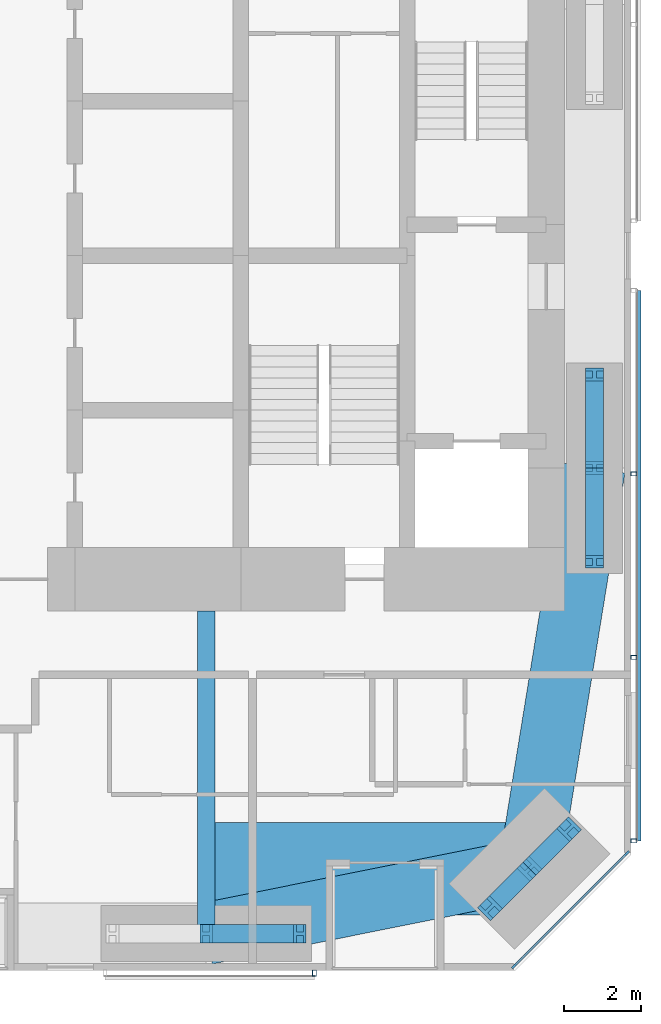
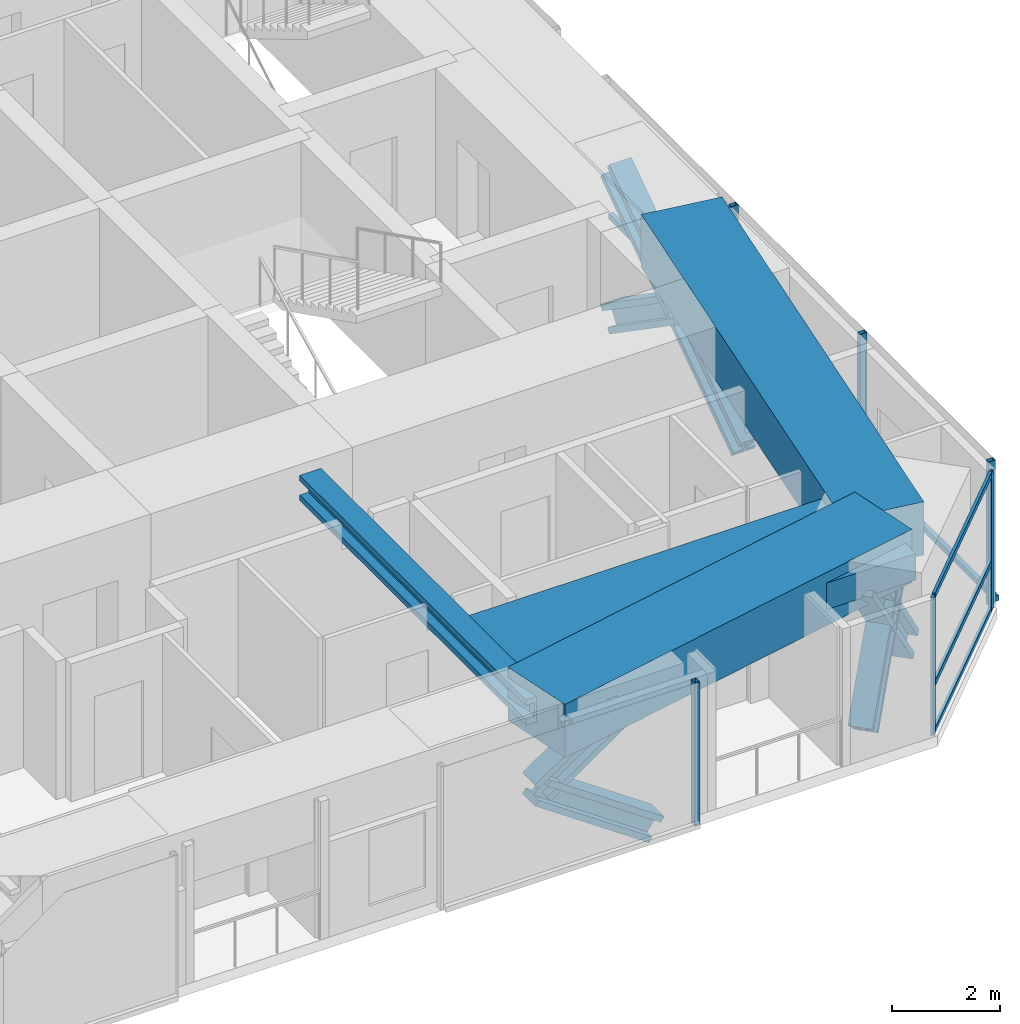
# One storey, part 8 of 23: 20 members, 4 beams, 3 elements without a shape of their own.
"""IFC4 building model written with IfcOpenShell, lengths in metres."""

import ifcopenshell
import ifcopenshell.guid

model = None  # the IFC model being written
_history = None  # IfcOwnerHistory: only IFC2X3 demands one
_inside = {}  # id of a spatial element -> (the spatial element, [elements in it])
_under = {}  # id of a project, library or spatial element -> (it, [spatial elements below it])
_declared = {}  # id of a project -> (the project, [libraries it declares])
_typed = {}  # id of a type object -> (the type object, [elements of that type])
_made_of = {}  # id of a material, layer set ... -> (it, [elements and type objects made of it])


def new_model(schema):
    """Start an empty IFC model of exactly this schema.

    Asked for "IFC4X3", IfcOpenShell would pick the latest addendum, in which some entities
    have other attributes; the version numbers below select the first issue.
    IFC2X3 requires an IfcOwnerHistory on every rooted entity: one is made here for all.
    """
    global model, _history
    if schema == "IFC4X3":
        model = ifcopenshell.file(schema_version=(4, 3, 0, 0))
    else:
        model = ifcopenshell.file(schema=schema)
    _inside.clear()
    _under.clear()
    _declared.clear()
    _typed.clear()
    _made_of.clear()
    _history = None
    if model.schema == "IFC2X3":
        org = make("IfcOrganization", Name="unknown")
        user = make(
            "IfcPersonAndOrganization",
            ThePerson=make("IfcPerson", FamilyName="unknown"),
            TheOrganization=org,
        )
        app = make(
            "IfcApplication",
            ApplicationDeveloper=org,
            Version="unknown",
            ApplicationFullName="unknown",
            ApplicationIdentifier="unknown",
        )
        _history = make(
            "IfcOwnerHistory",
            OwningUser=user,
            OwningApplication=app,
            ChangeAction="ADDED",
            CreationDate=0,
        )
    return model


def make(cls, **values):
    """One entity of the class cls with the attributes given. An attribute that is None is left unset."""
    return model.create_entity(
        cls, **{name: value for name, value in values.items() if value is not None}
    )


def rooted(cls, **values):
    """An entity with a GlobalId (a new one), such as an element, a storey or a relation."""
    return make(cls, GlobalId=ifcopenshell.guid.new(), OwnerHistory=_history, **values)


def si_unit(unit_type, name, prefix=None):
    """IfcSIUnit, for example si_unit("LENGTHUNIT", "METRE", prefix="MILLI")."""
    return make("IfcSIUnit", UnitType=unit_type, Prefix=prefix, Name=name)


def assignment(units):
    """IfcUnitAssignment: the units of a project."""
    return None if units is None else make("IfcUnitAssignment", Units=units)


def point(xyz):
    """IfcCartesianPoint."""
    return None if xyz is None else make("IfcCartesianPoint", Coordinates=xyz)


def direction(xyz):
    """IfcDirection."""
    return None if xyz is None else make("IfcDirection", DirectionRatios=xyz)


def frame(location, z_axis=None, x_axis=None):
    """IfcAxis2Placement3D, a coordinate frame: its origin and axes. An axis left out is left unset."""
    return make(
        "IfcAxis2Placement3D",
        Location=point(location),
        Axis=direction(z_axis),
        RefDirection=direction(x_axis),
    )


def frame_2d(location, x_axis=None):
    """IfcAxis2Placement2D, a coordinate frame in the plane: its origin and x axis."""
    return make(
        "IfcAxis2Placement2D", Location=point(location), RefDirection=direction(x_axis)
    )


def origin():
    """The frame at (0, 0, 0) with its axes left unset."""
    return frame((0.0, 0.0, 0.0))


def origin_2d():
    """The frame at (0, 0) in the plane with its x axis left unset."""
    return frame_2d((0.0, 0.0))


def place(relative_to, where):
    """IfcLocalPlacement: puts the frame where relative to a parent placement (None: the world)."""
    return make(
        "IfcLocalPlacement", PlacementRelTo=relative_to, RelativePlacement=where
    )


def context(
    kind, dimensions, precision=None, world=None, true_north=None, identifier=None
):
    """IfcGeometricRepresentationContext, for example the 3D "Model" context."""
    return make(
        "IfcGeometricRepresentationContext",
        ContextIdentifier=identifier,
        ContextType=kind,
        CoordinateSpaceDimension=dimensions,
        Precision=precision,
        WorldCoordinateSystem=world,
        TrueNorth=true_north,
    )


def subcontext(parent, identifier, kind, view, scale=None):
    """IfcGeometricRepresentationSubContext, for example "Body" below "Model"."""
    return make(
        "IfcGeometricRepresentationSubContext",
        ContextIdentifier=identifier,
        ContextType=kind,
        ParentContext=parent,
        TargetScale=scale,
        TargetView=view,
    )


def project(units=None, contexts=None):
    """IfcProject with its units and contexts."""
    return rooted(
        "IfcProject",
        Name="project",
        RepresentationContexts=contexts,
        UnitsInContext=assignment(units),
    )


def spatial(cls, under=None, at=None, **own):
    """A site, building, storey or space (cls), placed at a placement, below another one or the project."""
    s = rooted(cls, ObjectPlacement=at, **own)
    if under is not None:
        _under.setdefault(under.id(), (under, []))[1].append(s)
    return s


def profile(cls, at=None, kind="AREA", **sizes):
    """A parametric profile (cls). Its sizes go by their IFC names, for example OverallWidth=200.0."""
    return make(cls, ProfileType=kind, Position=at, **sizes)


def rectangle(**sizes):
    """IfcRectangleProfileDef."""
    return profile("IfcRectangleProfileDef", **sizes)


def hollow_rectangle(**sizes):
    """IfcRectangleHollowProfileDef."""
    return profile("IfcRectangleHollowProfileDef", **sizes)


def i_section(**sizes):
    """IfcIShapeProfileDef."""
    return profile("IfcIShapeProfileDef", **sizes)


def extrude(swept, where, along, depth):
    """IfcExtrudedAreaSolid: the profile swept, set in the frame where, extruded along a direction by depth."""
    return make(
        "IfcExtrudedAreaSolid",
        SweptArea=swept,
        Position=where,
        ExtrudedDirection=direction(along),
        Depth=depth,
    )


def shape(context_of_items, identifier, shape_type, items):
    """IfcShapeRepresentation: the items that make up one representation, for example the "Body"."""
    return make(
        "IfcShapeRepresentation",
        ContextOfItems=context_of_items,
        RepresentationIdentifier=identifier,
        RepresentationType=shape_type,
        Items=items,
    )


def material(Name=None, Category=None):
    """IfcMaterial."""
    return make("IfcMaterial", Name=Name, Category=Category)


def material_profile(
    of_material, cross_section, Name=None, Category=None, Priority=None
):
    """IfcMaterialProfile: a cross section and its material."""
    return make(
        "IfcMaterialProfile",
        Name=Name,
        Material=of_material,
        Profile=cross_section,
        Priority=Priority,
        Category=Category,
    )


def profile_set(profiles, Name=None, composite=None):
    """IfcMaterialProfileSet."""
    return make(
        "IfcMaterialProfileSet",
        Name=Name,
        MaterialProfiles=profiles,
        CompositeProfile=composite,
    )


def made_of(thing, what):
    """Note that an element or type object is made of a material, layer set ...; save() writes the relation."""
    if what is not None:
        _made_of.setdefault(what.id(), (what, []))[1].append(thing)
    return thing


def type_object(cls, material=None, **own):
    """A type object (cls), such as IfcWallType, which elements share."""
    return made_of(rooted(cls, **own), material)


def element(
    cls,
    number,
    at=None,
    inside=None,
    cuts=None,
    type_object=None,
    material=None,
    context=None,
    identifier="Body",
    shape_type=None,
    held_by="IfcProductDefinitionShape",
    body=None,
    shapes=None,
    **own,
):
    """One element of the class cls, such as IfcWall. Its Tag is "e" and its number.

    at: its placement. inside: the storey or other place that contains it. cuts: it is an
    opening in that element (IfcRelVoidsElement). A single representation is given by context,
    identifier, shape_type and body (its items); several are given by shapes. held_by: the class
    of the entity that holds the representations. save() writes the other relations.
    """
    e = rooted(cls, Tag="e%d" % number, ObjectPlacement=at, **own)
    if body is not None:
        shapes = [shape(context, identifier, shape_type, body)]
    if shapes is not None:
        e.Representation = make(held_by, Representations=shapes)
    if inside is not None:
        _inside.setdefault(inside.id(), (inside, []))[1].append(e)
    if cuts is not None:
        rooted(
            "IfcRelVoidsElement", RelatingBuildingElement=cuts, RelatedOpeningElement=e
        )
    if type_object is not None:
        _typed.setdefault(type_object.id(), (type_object, []))[1].append(e)
    return made_of(e, material)


def aggregate(whole, parts):
    """IfcRelAggregates: a whole, such as a stair, and the parts it consists of."""
    return rooted("IfcRelAggregates", RelatingObject=whole, RelatedObjects=parts)


def save(model, path):
    """Write the relations noted so far, then the file.

    IfcRelAggregates (storeys below a building ...), IfcRelContainedInSpatialStructure (elements
    in a storey), IfcRelDefinesByType, IfcRelAssociatesMaterial and IfcRelDeclares: one each for
    every whole, place, type object, material and project.
    """
    for whole, parts in _under.values():
        aggregate(whole, parts)
    for where, things in _inside.values():
        rooted(
            "IfcRelContainedInSpatialStructure",
            RelatedElements=things,
            RelatingStructure=where,
        )
    for kind, things in _typed.values():
        rooted("IfcRelDefinesByType", RelatedObjects=things, RelatingType=kind)
    for what, things in _made_of.values():
        rooted("IfcRelAssociatesMaterial", RelatedObjects=things, RelatingMaterial=what)
    for by, libraries in _declared.values():
        rooted("IfcRelDeclares", RelatingContext=by, RelatedDefinitions=libraries)
    model.write(path)


model = new_model("IFC4")

# Units and contexts
model_context = context("Model", 3, precision=1e-05, world=origin(), true_north=direction((0.0, 1.0)))
body_context = subcontext(model_context, "Body", "Model", "MODEL_VIEW")
ifc_project = project(units=[si_unit("LENGTHUNIT", "METRE"), si_unit("AREAUNIT", "SQUARE_METRE"), si_unit("VOLUMEUNIT", "CUBIC_METRE"), si_unit("PLANEANGLEUNIT", "RADIAN"), si_unit("MASSUNIT", "GRAM", prefix="KILO")], contexts=[model_context])

# Site, building, storey
site_placement = place(None, origin())
site = spatial("IfcSite", under=ifc_project, at=site_placement, CompositionType="ELEMENT")
building_placement = place(site_placement, origin())
building = spatial("IfcBuilding", under=site, at=building_placement, Name="Jalousie Tower", CompositionType="ELEMENT")
storey_placement = place(building_placement, frame((0.0, 0.0, 34.39990234375)))
storey = spatial("IfcBuildingStorey", under=building, at=storey_placement, Name="L08", CompositionType="ELEMENT", Elevation=34.39990234375)

# Curtain wall, members
ifc_material_1 = material(Name="Aluminium curtain wall", Category="aluminium")
curtain_wall_type_1 = type_object("IfcCurtainWallType", Name="CORNER WINDOW WALL", PredefinedType="USERDEFINED", material=ifc_material_1)
curtain_wall_1_placement = place(storey_placement, origin())
curtain_wall_1 = element("IfcCurtainWall", 1, at=curtain_wall_1_placement, inside=storey, type_object=curtain_wall_type_1, Name="Corner Window Wall L08 2", ObjectType="CORNER WINDOW WALL", PredefinedType="USERDEFINED")
ifc_material_2 = material(Name="Aluminium mullion", Category="aluminium")
ifc_material_profile_1 = material_profile(ifc_material_2, rectangle(XDim=0.06005859375, YDim=0.14990234375, at=origin_2d()), Name="MULLION 60x150")
ifc_profile_set_1 = profile_set([ifc_material_profile_1], Name="Aluminium mullion")
member_type_1 = type_object("IfcMemberType", Name="CORNER WINDOW WALL MULLION", PredefinedType="MULLION", material=ifc_profile_set_1)
member_1_placement = place(storey_placement, frame((42.969970703125, 0.108642578125, 0.0), z_axis=(0.0, 0.0, 1.0), x_axis=(-0.707106781187, 0.707106781187, 0.0)))
member_1 = element("IfcMember", 2, at=member_1_placement, type_object=member_type_1, Name="CW-C mullion 1", PredefinedType="MULLION", context=body_context, shape_type="SweptSolid", body=[
    extrude(rectangle(XDim=0.06005859375, YDim=0.14990234375, at=origin_2d()), origin(), (0.0, 0.0, 1.0), 3.110107421875),
])
member_2_placement = place(storey_placement, frame((45.891357421875, 3.030029296875, 0.0), z_axis=(0.0, 0.0, 1.0), x_axis=(-0.707106781187, 0.707106781187, 0.0)))
member_2 = element("IfcMember", 3, at=member_2_placement, type_object=member_type_1, Name="CW-C mullion 2", PredefinedType="MULLION", context=body_context, shape_type="SweptSolid", body=[
    extrude(rectangle(XDim=0.06005859375, YDim=0.14990234375, at=origin_2d()), origin(), (0.0, 0.0, 1.0), 3.110107421875),
])
ifc_material_3 = material(Name="Aluminium transom", Category="aluminium")
ifc_material_profile_2 = material_profile(ifc_material_3, rectangle(XDim=0.06005859375, YDim=0.1201171875, at=origin_2d()), Name="TRANSOM 60x120")
ifc_profile_set_2 = profile_set([ifc_material_profile_2], Name="Aluminium transom")
member_type_2 = type_object("IfcMemberType", Name="CORNER WINDOW WALL TRANSOM", PredefinedType="USERDEFINED", material=ifc_profile_set_2)
member_3_placement = place(storey_placement, frame((42.9912109375, 0.1298828125, 0.030029296875), z_axis=(0.707106781187, 0.707106781187, 0.0), x_axis=(-0.707106781187, 0.707106781187, 0.0)))
member_3 = element("IfcMember", 4, at=member_3_placement, type_object=member_type_2, Name="CW-C transom 1.1", ObjectType="TRANSOM", PredefinedType="USERDEFINED", context=body_context, shape_type="SweptSolid", body=[
    extrude(rectangle(XDim=0.06005859375, YDim=0.1201171875, at=origin_2d()), origin(), (0.0, 0.0, 1.0), 4.0712890625),
])
member_4_placement = place(storey_placement, frame((42.9912109375, 0.1298828125, 1.10009765625), z_axis=(0.707106781187, 0.707106781187, 0.0), x_axis=(-0.707106781187, 0.707106781187, 0.0)))
member_4 = element("IfcMember", 5, at=member_4_placement, type_object=member_type_2, Name="CW-C transom 1.2", ObjectType="TRANSOM", PredefinedType="USERDEFINED", context=body_context, shape_type="SweptSolid", body=[
    extrude(rectangle(XDim=0.06005859375, YDim=0.1201171875, at=origin_2d()), origin(), (0.0, 0.0, 1.0), 4.0712890625),
])
member_5_placement = place(storey_placement, frame((42.9912109375, 0.1298828125, 3.080078125), z_axis=(0.707106781187, 0.707106781187, 0.0), x_axis=(-0.707106781187, 0.707106781187, 0.0)))
member_5 = element("IfcMember", 6, at=member_5_placement, type_object=member_type_2, Name="CW-C transom 1.3", ObjectType="TRANSOM", PredefinedType="USERDEFINED", context=body_context, shape_type="SweptSolid", body=[
    extrude(rectangle(XDim=0.06005859375, YDim=0.1201171875, at=origin_2d()), origin(), (0.0, 0.0, 1.0), 4.0712890625),
])
aggregate(curtain_wall_1, [member_1, member_2, member_3, member_4, member_5])

# Beam
ifc_material_4 = material(Name="Steel ASTM A992 Grade 50", Category="steel")
ifc_material_profile_3 = material_profile(ifc_material_4, i_section(OverallWidth=0.45458984375, OverallDepth=0.569091796875, WebThickness=0.077880859375, FlangeThickness=0.124755859375, at=origin_2d()), Name="W14X730")
ifc_profile_set_3 = profile_set([ifc_material_profile_3], Name="Steel ASTM A992 Grade 50")
beam_type_1 = type_object("IfcBeamType", Name="LEAN COLLECTOR W14X730", PredefinedType="BEAM", material=ifc_profile_set_3)
beam_1_placement = place(storey_placement, frame((35.0, 0.949951171875, 2.82568359375), z_axis=(0.0, 1.0, 0.0), x_axis=(-1.0, 0.0, 0.0)))
element("IfcBeam", 7, at=beam_1_placement, inside=storey, type_object=beam_type_1, Name="Lean collector under L09", PredefinedType="BEAM", context=body_context, shape_type="SweptSolid", body=[
    extrude(i_section(OverallWidth=0.45458984375, OverallDepth=0.569091796875, WebThickness=0.077880859375, FlangeThickness=0.124755859375, at=origin_2d()), origin(), (0.0, 0.0, 1.0), 8.35009765625),
])

# Members
ifc_material_5 = material(Name="Steel ASTM A992 Grade 50", Category="steel")
ifc_material_profile_4 = material_profile(ifc_material_5, i_section(OverallWidth=0.472412109375, OverallDepth=0.5791015625, WebThickness=0.094970703125, FlangeThickness=0.1298828125, at=origin_2d()), Name="W14X808")
ifc_profile_set_4 = profile_set([ifc_material_profile_4], Name="Steel ASTM A992 Grade 50")
member_type_3 = type_object("IfcMemberType", Name="PERIMETER BRACE W14X808", PredefinedType="BRACE", material=ifc_profile_set_4)
for number, where, z_axis, x_axis, name in (
    (8, (35.0, 0.949951171875, 1.0751953125), (0.82283879777, 0.0, 0.568274856811), (0.0, 1.0, 0.0), "Perimeter brace 04 L08 part 2"),
    (9, (37.425048828125, 0.949951171875, -0.599853515625), (-0.822800062329, 0.0, 0.568330940062), (0.0, -1.0, 0.0), "Perimeter brace 04 L08 part 3"),
):
    element("IfcMember", number, at=place(storey_placement, frame(where, z_axis=z_axis, x_axis=x_axis)), inside=storey, type_object=member_type_3, Name=name, PredefinedType="BRACE", context=body_context, shape_type="SweptSolid", body=[
        extrude(i_section(OverallWidth=0.472412109375, OverallDepth=0.5791015625, WebThickness=0.094970703125, FlangeThickness=0.1298828125, at=origin_2d()), origin(), (0.0, 0.0, 1.0), 2.947265625),
    ])
for number, where, z_axis, x_axis, name in (
    (10, (42.34326171875, 1.606201171875, -0.599853515625), (0.462839993852, 0.462729793854, 0.756082189957), (-0.707022586774, 0.707190965575, 0.0), "Perimeter brace 05 L08 part 1"),
    (11, (43.36865234375, 2.63134765625, 1.0751953125), (0.462768350628, 0.462878559809, 0.756034981021), (-0.707190965575, 0.707022586774, 0.0), "Perimeter brace 05 L08 part 2"),
    (12, (44.393798828125, 3.65673828125, -0.599853515625), (-0.462729793854, -0.462839993852, 0.756082189957), (0.707190965575, -0.707022586774, 0.0), "Perimeter brace 05 L08 part 3"),
    (13, (43.36865234375, 2.63134765625, 1.0751953125), (-0.462878559809, -0.462768350628, 0.756034981021), (0.707022586774, -0.707190965575, 0.0), "Perimeter brace 05 L08 part 4"),
):
    element("IfcMember", number, at=place(storey_placement, frame(where, z_axis=z_axis, x_axis=x_axis)), inside=storey, type_object=member_type_3, Name=name, PredefinedType="BRACE", context=body_context, shape_type="SweptSolid", body=[
        extrude(i_section(OverallWidth=0.472412109375, OverallDepth=0.5791015625, WebThickness=0.094970703125, FlangeThickness=0.1298828125, at=origin_2d()), origin(), (0.0, 0.0, 1.0), 2.21533203125),
    ])
for number, where, z_axis, x_axis, name in (
    (14, (45.050048828125, 10.574951171875, -0.599853515625), (0.0, 0.822800062329, 0.568330940062), (-1.0, 0.0, 0.0), "Perimeter brace 06 L08 part 1"),
    (15, (45.050048828125, 13.0, 1.0751953125), (0.0, 0.82283879777, 0.568274856811), (-1.0, 0.0, 0.0), "Perimeter brace 06 L08 part 2"),
    (16, (45.050048828125, 15.425048828125, -0.599853515625), (0.0, -0.822800062329, 0.568330940062), (1.0, 0.0, 0.0), "Perimeter brace 06 L08 part 3"),
    (17, (45.050048828125, 13.0, 1.0751953125), (0.0, -0.82283879777, 0.568274856811), (1.0, 0.0, 0.0), "Perimeter brace 06 L08 part 4"),
):
    element("IfcMember", number, at=place(storey_placement, frame(where, z_axis=z_axis, x_axis=x_axis)), inside=storey, type_object=member_type_3, Name=name, PredefinedType="BRACE", context=body_context, shape_type="SweptSolid", body=[
        extrude(i_section(OverallWidth=0.472412109375, OverallDepth=0.5791015625, WebThickness=0.094970703125, FlangeThickness=0.1298828125, at=origin_2d()), origin(), (0.0, 0.0, 1.0), 2.947265625),
    ])

# Beams
ifc_material_6 = material(Name="Concrete f'c 40 MPa", Category="concrete")
ifc_material_profile_5 = material_profile(ifc_material_6, rectangle(XDim=1.60009765625, YDim=1.199951171875, at=origin_2d()), Name="RC 1600x1200")
ifc_profile_set_5 = profile_set([ifc_material_profile_5], Name="Concrete f'c 40 MPa")
beam_type_2 = type_object("IfcBeamType", Name="RC BEAM 1600x1200", PredefinedType="BEAM", material=ifc_profile_set_5)
beam_2_placement = place(storey_placement, frame((35.0, 0.949951171875, 2.75), z_axis=(0.980407585444, 0.196979609107, 0.0), x_axis=(-0.196979609107, 0.980407585444, 0.0)))
element("IfcBeam", 18, at=beam_2_placement, inside=storey, type_object=beam_type_2, Name="Edge band beam 04-05 under L09", PredefinedType="BEAM", context=body_context, shape_type="SweptSolid", body=[
    extrude(rectangle(XDim=1.60009765625, YDim=1.199951171875, at=origin_2d()), origin(), (0.0, 0.0, 1.0), 8.535888671875),
])
beam_3_placement = place(storey_placement, frame((43.36865234375, 2.63134765625, 2.75), z_axis=(0.160070546476, 0.987105577003, 0.0), x_axis=(-0.987105577003, 0.160070546476, 0.0)))
element("IfcBeam", 19, at=beam_3_placement, inside=storey, type_object=beam_type_2, Name="Edge band beam 05-06 under L09", PredefinedType="BEAM", context=body_context, shape_type="SweptSolid", body=[
    extrude(rectangle(XDim=1.60009765625, YDim=1.199951171875, at=origin_2d()), origin(), (0.0, 0.0, 1.0), 10.504150390625),
])
ifc_material_7 = material(Name="Concrete f'c 40 MPa", Category="concrete")
ifc_material_profile_6 = material_profile(ifc_material_7, rectangle(XDim=2.39990234375, YDim=0.60009765625, at=origin_2d()), Name="RC 2400x600")
ifc_profile_set_6 = profile_set([ifc_material_profile_6], Name="Concrete f'c 40 MPa")
beam_type_3 = type_object("IfcBeamType", Name="RC BEAM 2400x600", PredefinedType="BEAM", material=ifc_profile_set_6)
beam_4_placement = place(storey_placement, frame((43.36865234375, 2.63134765625, 2.81005859375), z_axis=(-1.0, 0.0, 0.0), x_axis=(0.0, -1.0, 0.0)))
element("IfcBeam", 20, at=beam_4_placement, inside=storey, type_object=beam_type_3, Name="Floor band beam under L09", PredefinedType="BEAM", context=body_context, shape_type="SweptSolid", body=[
    extrude(rectangle(XDim=2.39990234375, YDim=0.60009765625, at=origin_2d()), origin(), (0.0, 0.0, 1.0), 8.36865234375),
])

# Curtain wall, member
ifc_material_8 = material(Name="Perforated aluminium sheet", Category="aluminium")
curtain_wall_type_2 = type_object("IfcCurtainWallType", Name="SOLAR SCREEN SS-1", PredefinedType="USERDEFINED", material=ifc_material_8)
curtain_wall_2_placement = place(storey_placement, origin())
curtain_wall_2 = element("IfcCurtainWall", 21, at=curtain_wall_2_placement, inside=storey, type_object=curtain_wall_type_2, Name="Solar screen L08", ObjectType="SOLAR SCREEN SS-1", PredefinedType="USERDEFINED")
ifc_material_9 = material(Name="Steel ASTM A500 Grade C", Category="steel")
ifc_material_profile_7 = material_profile(ifc_material_9, hollow_rectangle(XDim=0.1015625, YDim=0.15234375, WallThickness=0.00634765625, at=origin_2d()), Name="HSS6X4X1/4")
ifc_profile_set_7 = profile_set([ifc_material_profile_7], Name="Steel ASTM A500 Grade C")
member_type_4 = type_object("IfcMemberType", Name="SOLAR SCREEN SS-1 MULLION", PredefinedType="MULLION", material=ifc_profile_set_7)
member_6_placement = place(storey_placement, frame((37.800048828125, -0.0712890625, -0.119873046875), z_axis=(0.0, 0.0, 1.0), x_axis=(1.0, 0.0, 0.0)))
member_6 = element("IfcMember", 22, at=member_6_placement, type_object=member_type_4, Name="SS1 post 2", PredefinedType="MULLION", context=body_context, shape_type="SweptSolid", body=[
    extrude(hollow_rectangle(XDim=0.1015625, YDim=0.15234375, WallThickness=0.00634765625, at=origin_2d()), origin(), (0.0, 0.0, 1.0), 3.22998046875),
])
aggregate(curtain_wall_2, [member_6])

# Curtain wall, members
curtain_wall_3_placement = place(storey_placement, origin())
curtain_wall_3 = element("IfcCurtainWall", 23, at=curtain_wall_3_placement, inside=storey, type_object=curtain_wall_type_2, Name="Solar screen L08", ObjectType="SOLAR SCREEN SS-1", PredefinedType="USERDEFINED")
member_7_placement = place(storey_placement, frame((46.0712890625, 3.351318359375, -0.119873046875), z_axis=(0.0, 0.0, 1.0), x_axis=(0.0, 1.0, 0.0)))
member_7 = element("IfcMember", 24, at=member_7_placement, type_object=member_type_4, Name="SS1 post 1", PredefinedType="MULLION", context=body_context, shape_type="SweptSolid", body=[
    extrude(hollow_rectangle(XDim=0.1015625, YDim=0.15234375, WallThickness=0.00634765625, at=origin_2d()), origin(), (0.0, 0.0, 1.0), 3.22998046875),
])
member_8_placement = place(storey_placement, frame((46.0712890625, 8.100830078125, -0.119873046875), z_axis=(0.0, 0.0, 1.0), x_axis=(0.0, 1.0, 0.0)))
member_8 = element("IfcMember", 25, at=member_8_placement, type_object=member_type_4, Name="SS1 post 2", PredefinedType="MULLION", context=body_context, shape_type="SweptSolid", body=[
    extrude(hollow_rectangle(XDim=0.1015625, YDim=0.15234375, WallThickness=0.00634765625, at=origin_2d()), origin(), (0.0, 0.0, 1.0), 3.22998046875),
])
member_9_placement = place(storey_placement, frame((46.0712890625, 12.850341796875, -0.119873046875), z_axis=(0.0, 0.0, 1.0), x_axis=(0.0, 1.0, 0.0)))
member_9 = element("IfcMember", 26, at=member_9_placement, type_object=member_type_4, Name="SS1 post 3", PredefinedType="MULLION", context=body_context, shape_type="SweptSolid", body=[
    extrude(hollow_rectangle(XDim=0.1015625, YDim=0.15234375, WallThickness=0.00634765625, at=origin_2d()), origin(), (0.0, 0.0, 1.0), 3.22998046875),
])
ifc_material_10 = material(Name="Extruded aluminium screen rail", Category="aluminium")
ifc_material_profile_8 = material_profile(ifc_material_10, rectangle(XDim=0.1015625, YDim=0.1201171875, at=origin_2d()), Name="RAIL 102x120")
ifc_profile_set_8 = profile_set([ifc_material_profile_8], Name="Extruded aluminium screen rail")
member_type_5 = type_object("IfcMemberType", Name="SOLAR SCREEN SS-1 TRANSOM", PredefinedType="USERDEFINED", material=ifc_profile_set_8)
member_10_placement = place(storey_placement, frame((46.1982421875, 3.351318359375, -0.059814453125), z_axis=(0.0, 1.0, 0.0), x_axis=(-1.0, 0.0, 0.0)))
member_10 = element("IfcMember", 27, at=member_10_placement, type_object=member_type_5, Name="SS1 rail", ObjectType="TRANSOM", PredefinedType="USERDEFINED", context=body_context, shape_type="SweptSolid", body=[
    extrude(rectangle(XDim=0.1015625, YDim=0.1201171875, at=origin_2d()), origin(), (0.0, 0.0, 1.0), 14.248779296875),
])
aggregate(curtain_wall_3, [member_7, member_8, member_9, member_10])

save(model, "model.ifc")
